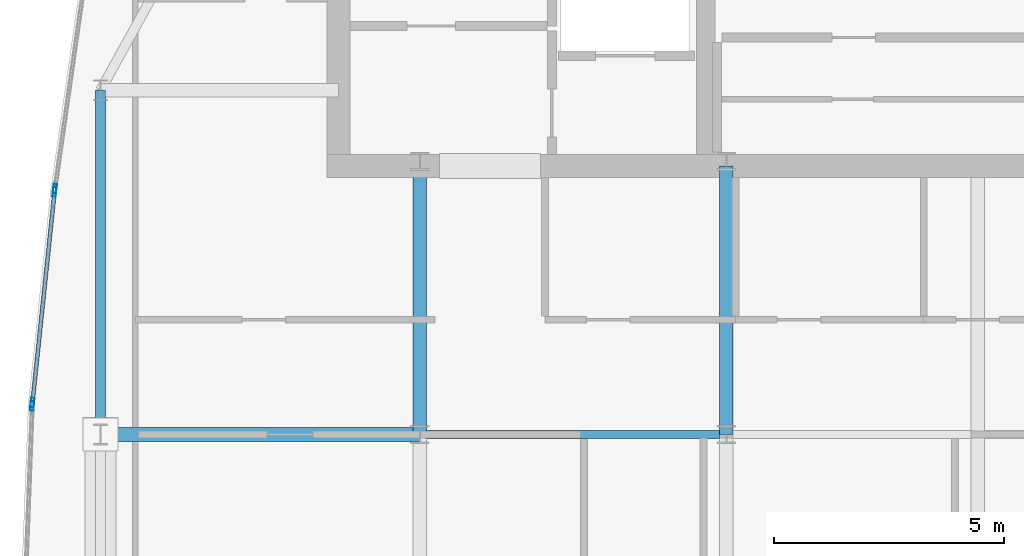
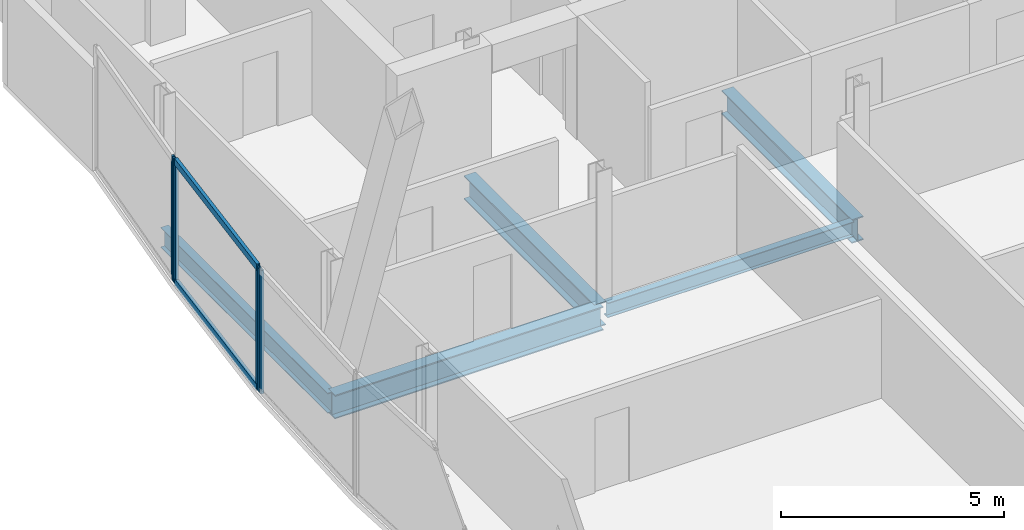
# One storey, part 11 of 29: 6 members, 5 beams, 3 elements without a shape of their own.
"""IFC4 building model written with IfcOpenShell, lengths in metres."""

from ifc_helpers import new_model, si_unit, direction, frame, origin, origin_2d, place, context, subcontext, project, spatial, hollow_rectangle, i_section, extrude, material, material_profile, profile_set, type_object, element, aggregate, save


model = new_model("IFC4")

# Units and contexts
model_context = context("Model", 3, precision=1e-05, world=origin(), true_north=direction((0.0, 1.0)))
body_context = subcontext(model_context, "Body", "Model", "MODEL_VIEW")
ifc_project = project(units=[si_unit("LENGTHUNIT", "METRE"), si_unit("AREAUNIT", "SQUARE_METRE"), si_unit("VOLUMEUNIT", "CUBIC_METRE"), si_unit("PLANEANGLEUNIT", "RADIAN"), si_unit("MASSUNIT", "GRAM", prefix="KILO")], contexts=[model_context])

# Site, building, storey
site_placement = place(None, origin())
site = spatial("IfcSite", under=ifc_project, at=site_placement, CompositionType="ELEMENT")
building_placement = place(site_placement, origin())
building = spatial("IfcBuilding", under=site, at=building_placement, Name="Khoronbel Lancet Exchange", CompositionType="ELEMENT")
storey_placement = place(building_placement, frame((0.0, 0.0, 302.199951171875)))
storey = spatial("IfcBuildingStorey", under=building, at=storey_placement, Name="L78", CompositionType="ELEMENT", Elevation=302.199951171875)

# Beams
ifc_material_1 = material(Name="Steel S355", Category="steel")
ifc_material_profile_1 = material_profile(ifc_material_1, i_section(OverallWidth=0.300048828125, OverallDepth=0.64990234375, WebThickness=0.01611328125, FlangeThickness=0.031005859375, at=origin_2d()), Name="HEB 650")
ifc_profile_set_1 = profile_set([ifc_material_profile_1], Name="Steel S355")
beam_type_1 = type_object("IfcBeamType", Name="BM-BG4", PredefinedType="BEAM", material=ifc_profile_set_1)
for number, where, z_axis, x_axis, name in (
    (1, (18.22509765625, 35.699951171875, -0.48486328125), (0.0, 1.0, 0.0), (-1.0, 0.0, 0.0), "Level L78 spine tie girder GN1"),
    (2, (24.89990234375, 35.699951171875, -0.48486328125), (0.0, 1.0, 0.0), (-1.0, 0.0, 0.0), "Level L78 spine tie girder GN2"),
):
    element("IfcBeam", number, at=place(storey_placement, frame(where, z_axis=z_axis, x_axis=x_axis)), inside=storey, type_object=beam_type_1, Name=name, PredefinedType="BEAM", context=body_context, shape_type="SweptSolid", body=[
        extrude(i_section(OverallWidth=0.300048828125, OverallDepth=0.64990234375, WebThickness=0.01611328125, FlangeThickness=0.031005859375, at=origin_2d()), origin(), (0.0, 0.0, 1.0), 5.85009765625),
    ])
beam_1_placement = place(storey_placement, frame((11.27001953125, 35.699951171875, -0.48486328125), z_axis=(1.0, 0.0, 0.0), x_axis=(0.0, 1.0, 0.0)))
element("IfcBeam", 3, at=beam_1_placement, inside=storey, type_object=beam_type_1, Name="Level L78 west lens tie girder LG4W", PredefinedType="BEAM", context=body_context, shape_type="SweptSolid", body=[
    extrude(i_section(OverallWidth=0.300048828125, OverallDepth=0.64990234375, WebThickness=0.01611328125, FlangeThickness=0.031005859375, at=origin_2d()), origin(), (0.0, 0.0, 1.0), 6.955078125),
])
ifc_material_profile_2 = material_profile(ifc_material_1, i_section(OverallWidth=0.179931640625, OverallDepth=0.39990234375, WebThickness=0.008544921875, FlangeThickness=0.013427734375, at=origin_2d()), Name="IPE 400")
ifc_profile_set_2 = profile_set([ifc_material_profile_2], Name="Steel S355")
beam_type_2 = type_object("IfcBeamType", Name="BM-BJ5", PredefinedType="JOIST", material=ifc_profile_set_2)
beam_2_placement = place(storey_placement, frame((18.375, 35.699951171875, -0.35986328125), z_axis=(1.0, 0.0, 0.0), x_axis=(0.0, 1.0, 0.0)))
element("IfcBeam", 4, at=beam_2_placement, inside=storey, type_object=beam_type_2, Name="Level L78 secondary composite joist J16", PredefinedType="JOIST", context=body_context, shape_type="SweptSolid", body=[
    extrude(i_section(OverallWidth=0.179931640625, OverallDepth=0.39990234375, WebThickness=0.008544921875, FlangeThickness=0.013427734375, at=origin_2d()), origin(), (0.0, 0.0, 1.0), 6.375),
])
ifc_material_profile_3 = material_profile(ifc_material_1, i_section(OverallWidth=0.2099609375, OverallDepth=0.550048828125, WebThickness=0.010986328125, FlangeThickness=0.01708984375, at=origin_2d()), Name="IPE 550")
ifc_profile_set_3 = profile_set([ifc_material_profile_3], Name="Steel S355")
beam_type_3 = type_object("IfcBeamType", Name="BM-BSP3", PredefinedType="SPANDREL", material=ifc_profile_set_3)
beam_3_placement = place(storey_placement, frame((11.27001953125, 43.199951171875, -0.43505859375), z_axis=(0.0, -1.0, 0.0), x_axis=(1.0, 0.0, 0.0)))
element("IfcBeam", 5, at=beam_3_placement, inside=storey, type_object=beam_type_3, Name="Level L78 perimeter spandrel beam SP17", PredefinedType="SPANDREL", context=body_context, shape_type="SweptSolid", body=[
    extrude(i_section(OverallWidth=0.2099609375, OverallDepth=0.550048828125, WebThickness=0.010986328125, FlangeThickness=0.01708984375, at=origin_2d()), origin(), (0.0, 0.0, 1.0), 7.5),
])

# Curtain wall, member
ifc_material_2 = material(Name="Low-E Solar Control Insulating Glass", Category="glass")
curtain_wall_type = type_object("IfcCurtainWallType", Name="CW-4", PredefinedType="NOTDEFINED", material=ifc_material_2)
curtain_wall_1_placement = place(storey_placement, origin())
curtain_wall_1 = element("IfcCurtainWall", 6, at=curtain_wall_1_placement, inside=storey, type_object=curtain_wall_type, Name="Unitised curtain wall CW-L78-E07", PredefinedType="NOTDEFINED")
ifc_material_3 = material(Name="Bronze-Anodised Aluminium 6063-T6", Category="aluminium")
ifc_material_profile_4 = material_profile(ifc_material_3, hollow_rectangle(XDim=0.074951171875, YDim=0.199951171875, WallThickness=0.0048828125, at=origin_2d()), Name="ALU MULLION 75x200")
ifc_profile_set_4 = profile_set([ifc_material_profile_4], Name="Bronze-Anodised Aluminium 6063-T6")
member_type_1 = type_object("IfcMemberType", Name="MEM-CWM2", PredefinedType="MULLION", material=ifc_profile_set_4)
member_1_placement = place(storey_placement, frame((9.782470703125, 36.32275390625, 0.0), z_axis=(0.0, 0.0, 1.0), x_axis=(-0.99926727474, 0.038274190189, 0.0)))
member_1 = element("IfcMember", 7, at=member_1_placement, type_object=member_type_1, Name="CW4 mullion 2", PredefinedType="MULLION", context=body_context, shape_type="SweptSolid", body=[
    extrude(hollow_rectangle(XDim=0.074951171875, YDim=0.199951171875, WallThickness=0.0048828125, at=origin_2d()), origin(), (0.0, 0.0, 1.0), 3.380126953125),
])
aggregate(curtain_wall_1, [member_1])

# Curtain wall, members
curtain_wall_2_placement = place(storey_placement, origin())
curtain_wall_2 = element("IfcCurtainWall", 8, at=curtain_wall_2_placement, inside=storey, type_object=curtain_wall_type, Name="Unitised curtain wall CW-L78-E08", PredefinedType="NOTDEFINED")
member_2_placement = place(storey_placement, frame((9.787841796875, 36.397705078125, 0.0), z_axis=(0.0, 0.0, 1.0), x_axis=(-0.994563630588, 0.104130613712, 0.0)))
member_2 = element("IfcMember", 9, at=member_2_placement, type_object=member_type_1, Name="CW4 mullion 1", PredefinedType="MULLION", context=body_context, shape_type="SweptSolid", body=[
    extrude(hollow_rectangle(XDim=0.074951171875, YDim=0.199951171875, WallThickness=0.0048828125, at=origin_2d()), origin(), (0.0, 0.0, 1.0), 3.380126953125),
])
member_3_placement = place(storey_placement, frame((10.26806640625, 40.98486328125, 0.0), z_axis=(0.0, 0.0, 1.0), x_axis=(-0.994563630588, 0.104130613712, 0.0)))
member_3 = element("IfcMember", 10, at=member_3_placement, type_object=member_type_1, Name="CW4 mullion 2", PredefinedType="MULLION", context=body_context, shape_type="SweptSolid", body=[
    extrude(hollow_rectangle(XDim=0.074951171875, YDim=0.199951171875, WallThickness=0.0048828125, at=origin_2d()), origin(), (0.0, 0.0, 1.0), 3.380126953125),
])

# Curtain wall, member
curtain_wall_3_placement = place(storey_placement, origin())
curtain_wall_3 = element("IfcCurtainWall", 11, at=curtain_wall_3_placement, inside=storey, type_object=curtain_wall_type, Name="Unitised curtain wall CW-L78-E09", PredefinedType="NOTDEFINED")
member_4_placement = place(storey_placement, frame((10.27734375, 41.059326171875, 0.0), z_axis=(0.0, 0.0, 1.0), x_axis=(-0.989929988267, 0.141557826802, 0.0)))
member_4 = element("IfcMember", 12, at=member_4_placement, type_object=member_type_1, Name="CW4 mullion 1", PredefinedType="MULLION", context=body_context, shape_type="SweptSolid", body=[
    extrude(hollow_rectangle(XDim=0.074951171875, YDim=0.199951171875, WallThickness=0.0048828125, at=origin_2d()), origin(), (0.0, 0.0, 1.0), 3.380126953125),
])
aggregate(curtain_wall_3, [member_4])

# Member
ifc_material_profile_5 = material_profile(ifc_material_3, hollow_rectangle(XDim=0.0849609375, YDim=0.179931640625, WallThickness=0.0048828125, at=origin_2d()), Name="ALU TRANSOM 85x180")
ifc_profile_set_5 = profile_set([ifc_material_profile_5], Name="Bronze-Anodised Aluminium 6063-T6")
member_type_2 = type_object("IfcMemberType", Name="MEM-CWT1", PredefinedType="USERDEFINED", material=ifc_profile_set_5)
member_5_placement = place(storey_placement, frame((9.791748046875, 36.434814453125, 0.04248046875), z_axis=(0.104116184177, 0.994565141251, 0.0), x_axis=(-0.994565141251, 0.104116184177, 0.0)))
member_5 = element("IfcMember", 13, at=member_5_placement, type_object=member_type_2, Name="CW4 transom 1.1", ObjectType="TRANSOM", PredefinedType="USERDEFINED", context=body_context, shape_type="SweptSolid", body=[
    extrude(hollow_rectangle(XDim=0.0849609375, YDim=0.179931640625, WallThickness=0.0048828125, at=origin_2d()), origin(), (0.0, 0.0, 1.0), 4.537353515625),
])

member_6_placement = place(storey_placement, frame((9.791748046875, 36.434814453125, 3.337646484375), z_axis=(0.104116184177, 0.994565141251, 0.0), x_axis=(-0.994565141251, 0.104116184177, 0.0)))
member_6 = element("IfcMember", 14, at=member_6_placement, type_object=member_type_2, Name="CW4 transom 1.2", ObjectType="TRANSOM", PredefinedType="USERDEFINED", context=body_context, shape_type="SweptSolid", body=[
    extrude(hollow_rectangle(XDim=0.0849609375, YDim=0.179931640625, WallThickness=0.0048828125, at=origin_2d()), origin(), (0.0, 0.0, 1.0), 4.537353515625),
])

aggregate(curtain_wall_2, [member_2, member_3, member_5, member_6])

save(model, "model.ifc")
